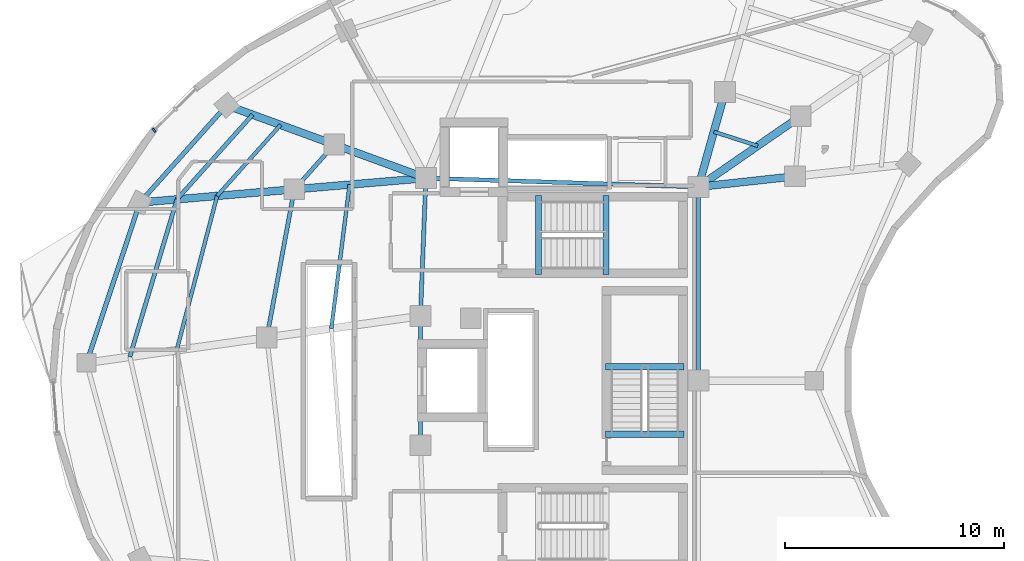
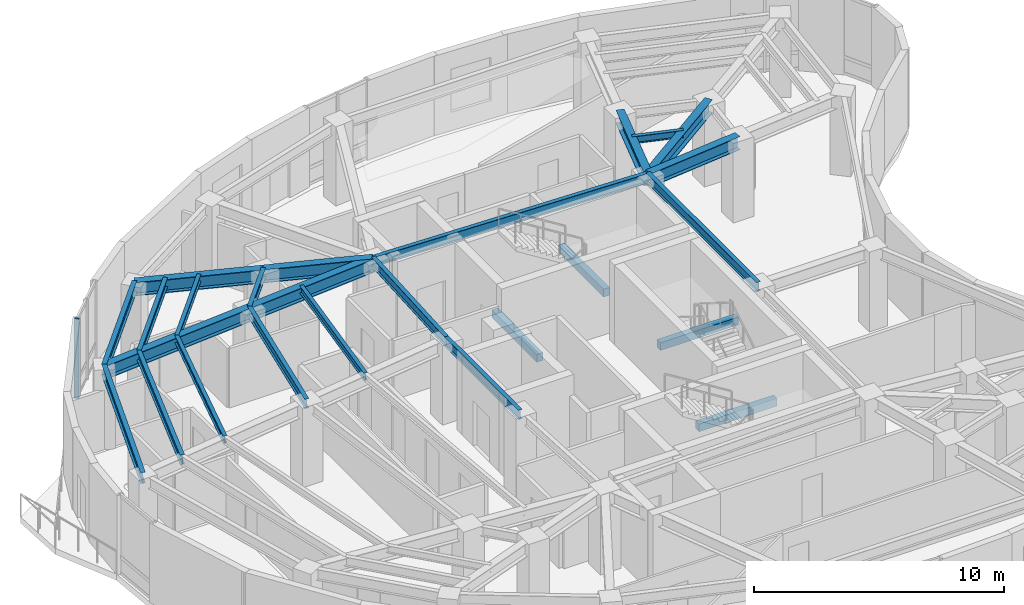
# One storey, part 3 of 13: 25 beams, 1 member, 1 element without a shape of its own.
"""IFC4 building model written with IfcOpenShell, lengths in metres."""

import ifcopenshell
import ifcopenshell.guid

model = None  # the IFC model being written
_history = None  # IfcOwnerHistory: only IFC2X3 demands one
_inside = {}  # id of a spatial element -> (the spatial element, [elements in it])
_under = {}  # id of a project, library or spatial element -> (it, [spatial elements below it])
_declared = {}  # id of a project -> (the project, [libraries it declares])
_typed = {}  # id of a type object -> (the type object, [elements of that type])
_made_of = {}  # id of a material, layer set ... -> (it, [elements and type objects made of it])


def new_model(schema):
    """Start an empty IFC model of exactly this schema.

    Asked for "IFC4X3", IfcOpenShell would pick the latest addendum, in which some entities
    have other attributes; the version numbers below select the first issue.
    IFC2X3 requires an IfcOwnerHistory on every rooted entity: one is made here for all.
    """
    global model, _history
    if schema == "IFC4X3":
        model = ifcopenshell.file(schema_version=(4, 3, 0, 0))
    else:
        model = ifcopenshell.file(schema=schema)
    _inside.clear()
    _under.clear()
    _declared.clear()
    _typed.clear()
    _made_of.clear()
    _history = None
    if model.schema == "IFC2X3":
        org = make("IfcOrganization", Name="unknown")
        user = make(
            "IfcPersonAndOrganization",
            ThePerson=make("IfcPerson", FamilyName="unknown"),
            TheOrganization=org,
        )
        app = make(
            "IfcApplication",
            ApplicationDeveloper=org,
            Version="unknown",
            ApplicationFullName="unknown",
            ApplicationIdentifier="unknown",
        )
        _history = make(
            "IfcOwnerHistory",
            OwningUser=user,
            OwningApplication=app,
            ChangeAction="ADDED",
            CreationDate=0,
        )
    return model


def make(cls, **values):
    """One entity of the class cls with the attributes given. An attribute that is None is left unset."""
    return model.create_entity(
        cls, **{name: value for name, value in values.items() if value is not None}
    )


def rooted(cls, **values):
    """An entity with a GlobalId (a new one), such as an element, a storey or a relation."""
    return make(cls, GlobalId=ifcopenshell.guid.new(), OwnerHistory=_history, **values)


def si_unit(unit_type, name, prefix=None):
    """IfcSIUnit, for example si_unit("LENGTHUNIT", "METRE", prefix="MILLI")."""
    return make("IfcSIUnit", UnitType=unit_type, Prefix=prefix, Name=name)


def assignment(units):
    """IfcUnitAssignment: the units of a project."""
    return None if units is None else make("IfcUnitAssignment", Units=units)


def point(xyz):
    """IfcCartesianPoint."""
    return None if xyz is None else make("IfcCartesianPoint", Coordinates=xyz)


def direction(xyz):
    """IfcDirection."""
    return None if xyz is None else make("IfcDirection", DirectionRatios=xyz)


def frame(location, z_axis=None, x_axis=None):
    """IfcAxis2Placement3D, a coordinate frame: its origin and axes. An axis left out is left unset."""
    return make(
        "IfcAxis2Placement3D",
        Location=point(location),
        Axis=direction(z_axis),
        RefDirection=direction(x_axis),
    )


def frame_2d(location, x_axis=None):
    """IfcAxis2Placement2D, a coordinate frame in the plane: its origin and x axis."""
    return make(
        "IfcAxis2Placement2D", Location=point(location), RefDirection=direction(x_axis)
    )


def origin():
    """The frame at (0, 0, 0) with its axes left unset."""
    return frame((0.0, 0.0, 0.0))


def origin_2d():
    """The frame at (0, 0) in the plane with its x axis left unset."""
    return frame_2d((0.0, 0.0))


def place(relative_to, where):
    """IfcLocalPlacement: puts the frame where relative to a parent placement (None: the world)."""
    return make(
        "IfcLocalPlacement", PlacementRelTo=relative_to, RelativePlacement=where
    )


def context(
    kind, dimensions, precision=None, world=None, true_north=None, identifier=None
):
    """IfcGeometricRepresentationContext, for example the 3D "Model" context."""
    return make(
        "IfcGeometricRepresentationContext",
        ContextIdentifier=identifier,
        ContextType=kind,
        CoordinateSpaceDimension=dimensions,
        Precision=precision,
        WorldCoordinateSystem=world,
        TrueNorth=true_north,
    )


def subcontext(parent, identifier, kind, view, scale=None):
    """IfcGeometricRepresentationSubContext, for example "Body" below "Model"."""
    return make(
        "IfcGeometricRepresentationSubContext",
        ContextIdentifier=identifier,
        ContextType=kind,
        ParentContext=parent,
        TargetScale=scale,
        TargetView=view,
    )


def project(units=None, contexts=None):
    """IfcProject with its units and contexts."""
    return rooted(
        "IfcProject",
        Name="project",
        RepresentationContexts=contexts,
        UnitsInContext=assignment(units),
    )


def spatial(cls, under=None, at=None, **own):
    """A site, building, storey or space (cls), placed at a placement, below another one or the project."""
    s = rooted(cls, ObjectPlacement=at, **own)
    if under is not None:
        _under.setdefault(under.id(), (under, []))[1].append(s)
    return s


def profile(cls, at=None, kind="AREA", **sizes):
    """A parametric profile (cls). Its sizes go by their IFC names, for example OverallWidth=200.0."""
    return make(cls, ProfileType=kind, Position=at, **sizes)


def rectangle(**sizes):
    """IfcRectangleProfileDef."""
    return profile("IfcRectangleProfileDef", **sizes)


def i_section(**sizes):
    """IfcIShapeProfileDef."""
    return profile("IfcIShapeProfileDef", **sizes)


def extrude(swept, where, along, depth):
    """IfcExtrudedAreaSolid: the profile swept, set in the frame where, extruded along a direction by depth."""
    return make(
        "IfcExtrudedAreaSolid",
        SweptArea=swept,
        Position=where,
        ExtrudedDirection=direction(along),
        Depth=depth,
    )


def shape(context_of_items, identifier, shape_type, items):
    """IfcShapeRepresentation: the items that make up one representation, for example the "Body"."""
    return make(
        "IfcShapeRepresentation",
        ContextOfItems=context_of_items,
        RepresentationIdentifier=identifier,
        RepresentationType=shape_type,
        Items=items,
    )


def material(Name=None, Category=None):
    """IfcMaterial."""
    return make("IfcMaterial", Name=Name, Category=Category)


def layer(
    of_material, thickness, ventilated=None, Name=None, Category=None, Priority=None
):
    """IfcMaterialLayer: one layer of a wall or slab, of a material (None: an air gap)."""
    return make(
        "IfcMaterialLayer",
        Material=of_material,
        LayerThickness=thickness,
        IsVentilated=ventilated,
        Name=Name,
        Category=Category,
        Priority=Priority,
    )


def layer_set(layers, Name=None):
    """IfcMaterialLayerSet."""
    return make("IfcMaterialLayerSet", MaterialLayers=layers, LayerSetName=Name)


def material_profile(
    of_material, cross_section, Name=None, Category=None, Priority=None
):
    """IfcMaterialProfile: a cross section and its material."""
    return make(
        "IfcMaterialProfile",
        Name=Name,
        Material=of_material,
        Profile=cross_section,
        Priority=Priority,
        Category=Category,
    )


def profile_set(profiles, Name=None, composite=None):
    """IfcMaterialProfileSet."""
    return make(
        "IfcMaterialProfileSet",
        Name=Name,
        MaterialProfiles=profiles,
        CompositeProfile=composite,
    )


def made_of(thing, what):
    """Note that an element or type object is made of a material, layer set ...; save() writes the relation."""
    if what is not None:
        _made_of.setdefault(what.id(), (what, []))[1].append(thing)
    return thing


def type_object(cls, material=None, **own):
    """A type object (cls), such as IfcWallType, which elements share."""
    return made_of(rooted(cls, **own), material)


def element(
    cls,
    number,
    at=None,
    inside=None,
    cuts=None,
    type_object=None,
    material=None,
    context=None,
    identifier="Body",
    shape_type=None,
    held_by="IfcProductDefinitionShape",
    body=None,
    shapes=None,
    **own,
):
    """One element of the class cls, such as IfcWall. Its Tag is "e" and its number.

    at: its placement. inside: the storey or other place that contains it. cuts: it is an
    opening in that element (IfcRelVoidsElement). A single representation is given by context,
    identifier, shape_type and body (its items); several are given by shapes. held_by: the class
    of the entity that holds the representations. save() writes the other relations.
    """
    e = rooted(cls, Tag="e%d" % number, ObjectPlacement=at, **own)
    if body is not None:
        shapes = [shape(context, identifier, shape_type, body)]
    if shapes is not None:
        e.Representation = make(held_by, Representations=shapes)
    if inside is not None:
        _inside.setdefault(inside.id(), (inside, []))[1].append(e)
    if cuts is not None:
        rooted(
            "IfcRelVoidsElement", RelatingBuildingElement=cuts, RelatedOpeningElement=e
        )
    if type_object is not None:
        _typed.setdefault(type_object.id(), (type_object, []))[1].append(e)
    return made_of(e, material)


def aggregate(whole, parts):
    """IfcRelAggregates: a whole, such as a stair, and the parts it consists of."""
    return rooted("IfcRelAggregates", RelatingObject=whole, RelatedObjects=parts)


def save(model, path):
    """Write the relations noted so far, then the file.

    IfcRelAggregates (storeys below a building ...), IfcRelContainedInSpatialStructure (elements
    in a storey), IfcRelDefinesByType, IfcRelAssociatesMaterial and IfcRelDeclares: one each for
    every whole, place, type object, material and project.
    """
    for whole, parts in _under.values():
        aggregate(whole, parts)
    for where, things in _inside.values():
        rooted(
            "IfcRelContainedInSpatialStructure",
            RelatedElements=things,
            RelatingStructure=where,
        )
    for kind, things in _typed.values():
        rooted("IfcRelDefinesByType", RelatedObjects=things, RelatingType=kind)
    for what, things in _made_of.values():
        rooted("IfcRelAssociatesMaterial", RelatedObjects=things, RelatingMaterial=what)
    for by, libraries in _declared.values():
        rooted("IfcRelDeclares", RelatingContext=by, RelatedDefinitions=libraries)
    model.write(path)


model = new_model("IFC4")

# Units and contexts
model_context = context("Model", 3, precision=1e-05, world=origin(), true_north=direction((0.0, 1.0)))
body_context = subcontext(model_context, "Body", "Model", "MODEL_VIEW")
ifc_project = project(units=[si_unit("LENGTHUNIT", "METRE"), si_unit("AREAUNIT", "SQUARE_METRE"), si_unit("VOLUMEUNIT", "CUBIC_METRE"), si_unit("PLANEANGLEUNIT", "RADIAN"), si_unit("MASSUNIT", "GRAM", prefix="KILO")], contexts=[model_context])

# Site, building, storey
site_placement = place(None, origin())
site = spatial("IfcSite", under=ifc_project, at=site_placement, CompositionType="ELEMENT")
building_placement = place(site_placement, origin())
building = spatial("IfcBuilding", under=site, at=building_placement, Name="Korentha Bioscience Tower", CompositionType="ELEMENT")
storey_placement = place(building_placement, frame((0.0, 0.0, 273.0)))
storey = spatial("IfcBuildingStorey", under=building, at=storey_placement, Name="L63", CompositionType="ELEMENT", Elevation=273.0)

# Beams
ifc_material_1 = material(Name="Concrete C50", Category="concrete")
ifc_material_profile_1 = material_profile(ifc_material_1, rectangle(XDim=0.280029296875, YDim=0.3798828125, at=origin_2d()), Name="Concrete C50")
ifc_profile_set_1 = profile_set([ifc_material_profile_1], Name="Concrete C50 (ST-HB380)")
beam_type_1 = type_object("IfcBeamType", Name="Concrete Stair Header Beam RC 280x380", PredefinedType="BEAM", material=ifc_profile_set_1)
for number, where, z_axis, x_axis, name in (
    (1, (30.25, 31.85009765625, -0.18994140625), (0.0, 1.0, 0.0), (-1.0, 0.0, 0.0), "L63 ST-1 Concrete Stair Header Beam"),
    (2, (33.330078125, 31.85009765625, 1.909912109375), (0.0, 1.0, 0.0), (-1.0, 0.0, 0.0), "L63 ST-1 Half-Landing Header Beam 1"),
    (3, (36.89990234375, 24.550048828125, -0.18994140625), (-1.0, 0.0, 0.0), (0.0, -1.0, 0.0), "L63 ST-3 Concrete Stair Header Beam"),
    (4, (36.89990234375, 27.6298828125, 1.909912109375), (-1.0, 0.0, 0.0), (0.0, -1.0, 0.0), "L63 ST-3 Half-Landing Header Beam 1"),
):
    element("IfcBeam", number, at=place(storey_placement, frame(where, z_axis=z_axis, x_axis=x_axis)), inside=storey, type_object=beam_type_1, Name=name, PredefinedType="BEAM", context=body_context, shape_type="SweptSolid", body=[
        extrude(rectangle(XDim=0.280029296875, YDim=0.3798828125, at=origin_2d()), origin(), (0.0, 0.0, 1.0), 3.599853515625),
    ])
ifc_material_2 = material(Name="Steel S355", Category="steel")
ifc_material_profile_2 = material_profile(ifc_material_2, i_section(OverallWidth=0.18994140625, OverallDepth=0.45703125, WebThickness=0.009033203125, FlangeThickness=0.014404296875, at=origin_2d()), Name="Steel S355")
ifc_profile_set_2 = profile_set([ifc_material_profile_2], Name="Steel S355 (MB-460)")
beam_type_2 = type_object("IfcBeamType", Name="Mid-Ring Tie Girder W460x74", PredefinedType="BEAM", material=ifc_profile_set_2)
beam_1_placement = place(storey_placement, frame((20.915283203125, 37.78125, 3.651611328125), z_axis=(-0.666159168073, -0.745809602239, 0.0), x_axis=(0.745809602239, -0.666159168073, 0.0)))
element("IfcBeam", 5, at=beam_1_placement, inside=storey, type_object=beam_type_2, Name="L63 Mid-Ring Tie Girder 05", PredefinedType="BEAM", context=body_context, shape_type="SweptSolid", body=[
    extrude(i_section(OverallWidth=0.18994140625, OverallDepth=0.45703125, WebThickness=0.009033203125, FlangeThickness=0.014404296875, at=origin_2d()), origin(), (0.0, 0.0, 1.0), 2.740234375),
])
beam_2_placement = place(storey_placement, frame((19.08984375, 35.737548828125, 3.651611328125), z_axis=(-0.182381206512, -0.98322789602, 0.0), x_axis=(0.98322789602, -0.182381206512, 0.0)))
element("IfcBeam", 6, at=beam_2_placement, inside=storey, type_object=beam_type_2, Name="L63 Mid-Ring Tie Girder 06", PredefinedType="BEAM", context=body_context, shape_type="SweptSolid", body=[
    extrude(i_section(OverallWidth=0.18994140625, OverallDepth=0.45703125, WebThickness=0.009033203125, FlangeThickness=0.014404296875, at=origin_2d()), origin(), (0.0, 0.0, 1.0), 6.88720703125),
])
beam_3_placement = place(storey_placement, frame((37.550048828125, 35.85009765625, 3.651611328125), z_axis=(-0.999484526071, 0.032104238723, 0.0), x_axis=(-0.032104238723, -0.999484526071, 0.0)))
element("IfcBeam", 7, at=beam_3_placement, inside=storey, type_object=beam_type_2, Name="L63 Core Ring Tie Girder 01", PredefinedType="BEAM", context=body_context, shape_type="SweptSolid", body=[
    extrude(i_section(OverallWidth=0.18994140625, OverallDepth=0.45703125, WebThickness=0.009033203125, FlangeThickness=0.014404296875, at=origin_2d()), origin(), (0.0, 0.0, 1.0), 12.456298828125),
])
beam_4_placement = place(storey_placement, frame((25.10009765625, 36.25, 3.651611328125), z_axis=(-0.039651025576, -0.999213588864, 0.0), x_axis=(0.999213588864, -0.039651025576, 0.0)))
element("IfcBeam", 8, at=beam_4_placement, inside=storey, type_object=beam_type_2, Name="L63 Core Ring Tie Girder 02", PredefinedType="BEAM", context=body_context, shape_type="SweptSolid", body=[
    extrude(i_section(OverallWidth=0.18994140625, OverallDepth=0.45703125, WebThickness=0.009033203125, FlangeThickness=0.014404296875, at=origin_2d()), origin(), (0.0, 0.0, 1.0), 6.304931640625),
])
beam_5_placement = place(storey_placement, frame((24.85009765625, 29.949951171875, 3.651611328125), z_axis=(0.0, -1.0, 0.0), x_axis=(1.0, 0.0, 0.0)))
element("IfcBeam", 9, at=beam_5_placement, inside=storey, type_object=beam_type_2, Name="L63 Core Ring Tie Girder 03", PredefinedType="BEAM", context=body_context, shape_type="SweptSolid", body=[
    extrude(i_section(OverallWidth=0.18994140625, OverallDepth=0.45703125, WebThickness=0.009033203125, FlangeThickness=0.014404296875, at=origin_2d()), origin(), (0.0, 0.0, 1.0), 5.89990234375),
])
beam_6_placement = place(storey_placement, frame((37.550048828125, 27.0, 3.651611328125), z_axis=(0.0, 1.0, 0.0), x_axis=(-1.0, 0.0, 0.0)))
element("IfcBeam", 10, at=beam_6_placement, inside=storey, type_object=beam_type_2, Name="L63 Core Ring Tie Girder 07", PredefinedType="BEAM", context=body_context, shape_type="SweptSolid", body=[
    extrude(i_section(OverallWidth=0.18994140625, OverallDepth=0.45703125, WebThickness=0.009033203125, FlangeThickness=0.014404296875, at=origin_2d()), origin(), (0.0, 0.0, 1.0), 8.85009765625),
])

# Curtain wall, member
ifc_material_3 = material(Name="Thermally Broken Aluminium Frame", Category="aluminium")
ifc_layer = layer(ifc_material_3, 0.219970703125, Name="Thermally Broken Aluminium Frame")
ifc_layer_set = layer_set([ifc_layer], Name="Thermally Broken Aluminium Frame (CW-T1)")
curtain_wall_type = type_object("IfcCurtainWallType", Name="Standard Bioscience Lab Unitised Curtain Wall CW-T1", PredefinedType="USERDEFINED", material=ifc_layer_set)
curtain_wall_placement = place(storey_placement, origin())
curtain_wall = element("IfcCurtainWall", 11, at=curtain_wall_placement, inside=storey, type_object=curtain_wall_type, Name="L63 Curtain Wall 13", ObjectType="UNITISED", PredefinedType="USERDEFINED")
ifc_material_4 = material(Name="Anodised Aluminium 6063-T6", Category="aluminium")
ifc_material_profile_3 = material_profile(ifc_material_4, rectangle(XDim=0.090087890625, YDim=0.199951171875, at=origin_2d()), Name="Anodised Aluminium 6063-T6")
ifc_profile_set_3 = profile_set([ifc_material_profile_3], Name="Anodised Aluminium 6063-T6 (CW-MUL)")
member_type = type_object("IfcMemberType", Name="Mullion RECT 90x200", PredefinedType="MULLION", material=ifc_profile_set_3)
member_placement = place(storey_placement, frame((12.680419921875, 38.43603515625, 0.0), z_axis=(0.0, 0.0, 1.0), x_axis=(-0.711397700041, -0.702789664392, 0.0)))
member = element("IfcMember", 12, at=member_placement, type_object=member_type, Name="CW-L63-13 Mullion 3", PredefinedType="MULLION", context=body_context, shape_type="SweptSolid", body=[
    extrude(rectangle(XDim=0.090087890625, YDim=0.199951171875, at=origin_2d()), origin(), (0.0, 0.0, 1.0), 3.8798828125),
])
aggregate(curtain_wall, [member])

# Beams
ifc_material_profile_4 = material_profile(ifc_material_2, i_section(OverallWidth=0.208984375, OverallDepth=0.532958984375, WebThickness=0.01025390625, FlangeThickness=0.015625, at=origin_2d()), Name="Steel S355")
ifc_profile_set_4 = profile_set([ifc_material_profile_4], Name="Steel S355 (SB-530)")
beam_type_3 = type_object("IfcBeamType", Name="Perimeter Ring Spandrel Girder W530x92", PredefinedType="SPANDREL", material=ifc_profile_set_4)
beam_7_placement = place(storey_placement, frame((16.002685546875, 39.57861328125, 3.613525390625), z_axis=(-0.666168059737, -0.745801660086, 0.0), x_axis=(0.745801660086, -0.666168059737, 0.0)))
element("IfcBeam", 13, at=beam_7_placement, inside=storey, type_object=beam_type_3, Name="L63 Perimeter Spandrel Girder 05", PredefinedType="SPANDREL", context=body_context, shape_type="SweptSolid", body=[
    extrude(i_section(OverallWidth=0.208984375, OverallDepth=0.532958984375, WebThickness=0.01025390625, FlangeThickness=0.015625, at=origin_2d()), origin(), (0.0, 0.0, 1.0), 5.956787109375),
])
beam_8_placement = place(storey_placement, frame((12.034423828125, 35.135986328125, 3.613525390625), z_axis=(-0.315658499219, -0.948872863913, 0.0), x_axis=(0.948872863913, -0.315658499219, 0.0)))
element("IfcBeam", 14, at=beam_8_placement, inside=storey, type_object=beam_type_3, Name="L63 Perimeter Spandrel Girder 06", PredefinedType="SPANDREL", context=body_context, shape_type="SweptSolid", body=[
    extrude(i_section(OverallWidth=0.208984375, OverallDepth=0.532958984375, WebThickness=0.01025390625, FlangeThickness=0.015625, at=origin_2d()), origin(), (0.0, 0.0, 1.0), 7.720458984375),
])
ifc_material_profile_5 = material_profile(ifc_material_2, i_section(OverallWidth=0.18994140625, OverallDepth=0.45703125, WebThickness=0.009033203125, FlangeThickness=0.014404296875, at=origin_2d()), Name="Steel S355")
ifc_profile_set_5 = profile_set([ifc_material_profile_5], Name="Steel S355 (RB-460)")
beam_type_4 = type_object("IfcBeamType", Name="Radial Laboratory Beam W460x74", PredefinedType="BEAM", material=ifc_profile_set_5)
beam_9_placement = place(storey_placement, frame((17.181884765625, 39.147216796875, 3.651611328125), z_axis=(-0.666197283, -0.745775556132, 0.0), x_axis=(0.745775556132, -0.666197283, 0.0)))
element("IfcBeam", 15, at=beam_9_placement, inside=storey, type_object=beam_type_4, Name="L63 Secondary Floor Beam JSTO-05", PredefinedType="BEAM", context=body_context, shape_type="SweptSolid", body=[
    extrude(i_section(OverallWidth=0.18994140625, OverallDepth=0.45703125, WebThickness=0.009033203125, FlangeThickness=0.014404296875, at=origin_2d()), origin(), (0.0, 0.0, 1.0), 5.184814453125),
])
beam_10_placement = place(storey_placement, frame((13.727783203125, 35.280517578125, 3.651611328125), z_axis=(-0.28682281491, -0.957983649572, 0.0), x_axis=(0.957983649572, -0.28682281491, 0.0)))
element("IfcBeam", 16, at=beam_10_placement, inside=storey, type_object=beam_type_4, Name="L63 Secondary Floor Beam JSTO-06", PredefinedType="BEAM", context=body_context, shape_type="SweptSolid", body=[
    extrude(i_section(OverallWidth=0.18994140625, OverallDepth=0.45703125, WebThickness=0.009033203125, FlangeThickness=0.014404296875, at=origin_2d()), origin(), (0.0, 0.0, 1.0), 7.50830078125),
])
ifc_material_profile_6 = material_profile(ifc_material_2, i_section(OverallWidth=0.35009765625, OverallDepth=0.64990234375, WebThickness=0.01611328125, FlangeThickness=0.02490234375, at=origin_2d()), Name="Steel S355")
ifc_profile_set_6 = profile_set([ifc_material_profile_6], Name="Steel S355 (RB-650)")
beam_type_5 = type_object("IfcBeamType", Name="Radial Laboratory Girder CVS 650x208", PredefinedType="BEAM", material=ifc_profile_set_6)
beam_11_placement = place(storey_placement, frame((37.550048828125, 35.85009765625, 3.554931640625), z_axis=(0.822500009141, 0.56876509647, 0.0), x_axis=(-0.56876509647, 0.822500009141, 0.0)))
element("IfcBeam", 17, at=beam_11_placement, inside=storey, type_object=beam_type_5, Name="L63 Inner Radial Girder 01", PredefinedType="BEAM", context=body_context, shape_type="SweptSolid", body=[
    extrude(i_section(OverallWidth=0.35009765625, OverallDepth=0.64990234375, WebThickness=0.01611328125, FlangeThickness=0.02490234375, at=origin_2d()), origin(), (0.0, 0.0, 1.0), 5.6796875),
])
beam_12_placement = place(storey_placement, frame((37.550048828125, 35.85009765625, 3.554931640625), z_axis=(0.269471139951, 0.963008465556, 0.0), x_axis=(-0.963008465556, 0.269471139951, 0.0)))
element("IfcBeam", 18, at=beam_12_placement, inside=storey, type_object=beam_type_5, Name="L63 Inner Radial Girder 02", PredefinedType="BEAM", context=body_context, shape_type="SweptSolid", body=[
    extrude(i_section(OverallWidth=0.35009765625, OverallDepth=0.64990234375, WebThickness=0.01611328125, FlangeThickness=0.02490234375, at=origin_2d()), origin(), (0.0, 0.0, 1.0), 4.505615234375),
])
beam_13_placement = place(storey_placement, frame((25.10009765625, 36.25, 3.554931640625), z_axis=(-0.939106897866, 0.343625136422, 0.0), x_axis=(-0.343625136422, -0.939106897866, 0.0)))
element("IfcBeam", 19, at=beam_13_placement, inside=storey, type_object=beam_type_5, Name="L63 Inner Radial Girder 05", PredefinedType="BEAM", context=body_context, shape_type="SweptSolid", body=[
    extrude(i_section(OverallWidth=0.35009765625, OverallDepth=0.64990234375, WebThickness=0.01611328125, FlangeThickness=0.02490234375, at=origin_2d()), origin(), (0.0, 0.0, 1.0), 4.4560546875),
])
beam_14_placement = place(storey_placement, frame((20.915283203125, 37.78125, 3.554931640625), z_axis=(-0.939118444477, 0.343593578583, 0.0), x_axis=(-0.343593578583, -0.939118444477, 0.0)))
element("IfcBeam", 20, at=beam_14_placement, inside=storey, type_object=beam_type_5, Name="L63 Outer Radial Girder 05", PredefinedType="BEAM", context=body_context, shape_type="SweptSolid", body=[
    extrude(i_section(OverallWidth=0.35009765625, OverallDepth=0.64990234375, WebThickness=0.01611328125, FlangeThickness=0.02490234375, at=origin_2d()), origin(), (0.0, 0.0, 1.0), 5.23095703125),
])
beam_15_placement = place(storey_placement, frame((25.10009765625, 36.25, 3.554931640625), z_axis=(-0.996384825277, -0.084954575849, 0.0), x_axis=(0.084954575849, -0.996384825277, 0.0)))
element("IfcBeam", 21, at=beam_15_placement, inside=storey, type_object=beam_type_5, Name="L63 Inner Radial Girder 06", PredefinedType="BEAM", context=body_context, shape_type="SweptSolid", body=[
    extrude(i_section(OverallWidth=0.35009765625, OverallDepth=0.64990234375, WebThickness=0.01611328125, FlangeThickness=0.02490234375, at=origin_2d()), origin(), (0.0, 0.0, 1.0), 6.031982421875),
])
beam_16_placement = place(storey_placement, frame((19.08984375, 35.737548828125, 3.554931640625), z_axis=(-0.996384854796, -0.084954229635, 0.0), x_axis=(0.084954229635, -0.996384854796, 0.0)))
element("IfcBeam", 22, at=beam_16_placement, inside=storey, type_object=beam_type_5, Name="L63 Outer Radial Girder 06", PredefinedType="BEAM", context=body_context, shape_type="SweptSolid", body=[
    extrude(i_section(OverallWidth=0.35009765625, OverallDepth=0.64990234375, WebThickness=0.01611328125, FlangeThickness=0.02490234375, at=origin_2d()), origin(), (0.0, 0.0, 1.0), 7.0810546875),
])
beam_17_placement = place(storey_placement, frame((37.550048828125, 35.85009765625, 3.554931640625), z_axis=(0.994121454153, 0.108270653423, 0.0), x_axis=(-0.108270653423, 0.994121454153, 0.0)))
element("IfcBeam", 23, at=beam_17_placement, inside=storey, type_object=beam_type_5, Name="L63 Inner Radial Girder 16", PredefinedType="BEAM", context=body_context, shape_type="SweptSolid", body=[
    extrude(i_section(OverallWidth=0.35009765625, OverallDepth=0.64990234375, WebThickness=0.01611328125, FlangeThickness=0.02490234375, at=origin_2d()), origin(), (0.0, 0.0, 1.0), 4.43994140625),
])
ifc_material_profile_7 = material_profile(ifc_material_2, i_section(OverallWidth=0.1708984375, OverallDepth=0.35498046875, WebThickness=0.007080078125, FlangeThickness=0.01171875, at=origin_2d()), Name="Steel S355")
ifc_profile_set_7 = profile_set([ifc_material_profile_7], Name="Steel S355 (JB-360)")
beam_type_6 = type_object("IfcBeamType", Name="Secondary Laboratory Joist W360x51", PredefinedType="JOIST", material=ifc_profile_set_7)
beam_18_placement = place(storey_placement, frame((40.259521484375, 37.7236328125, 3.702392578125), z_axis=(-0.952238215196, 0.305356155202, 0.0), x_axis=(-0.305356155202, -0.952238215196, 0.0)))
element("IfcBeam", 24, at=beam_18_placement, inside=storey, type_object=beam_type_6, Name="L63 Inner Bay Joist 01", PredefinedType="JOIST", context=body_context, shape_type="SweptSolid", body=[
    extrude(i_section(OverallWidth=0.1708984375, OverallDepth=0.35498046875, WebThickness=0.007080078125, FlangeThickness=0.01171875, at=origin_2d()), origin(), (0.0, 0.0, 1.0), 2.10595703125),
])
beam_19_placement = place(storey_placement, frame((18.458984375, 38.679931640625, 3.702392578125), z_axis=(-0.666180871809, -0.745790215836, 0.0), x_axis=(0.745790215836, -0.666180871809, 0.0)))
element("IfcBeam", 25, at=beam_19_placement, inside=storey, type_object=beam_type_6, Name="L63 Secondary Floor Beam JST-05", PredefinedType="JOIST", context=body_context, shape_type="SweptSolid", body=[
    extrude(i_section(OverallWidth=0.1708984375, OverallDepth=0.35498046875, WebThickness=0.007080078125, FlangeThickness=0.01171875, at=origin_2d()), origin(), (0.0, 0.0, 1.0), 4.3486328125),
])
beam_20_placement = place(storey_placement, frame((15.56201171875, 35.436767578125, 3.702392578125), z_axis=(-0.253407917841, -0.967359512888, 0.0), x_axis=(0.967359512888, -0.253407917841, 0.0)))
element("IfcBeam", 26, at=beam_20_placement, inside=storey, type_object=beam_type_6, Name="L63 Secondary Floor Beam JST-06", PredefinedType="JOIST", context=body_context, shape_type="SweptSolid", body=[
    extrude(i_section(OverallWidth=0.1708984375, OverallDepth=0.35498046875, WebThickness=0.007080078125, FlangeThickness=0.01171875, at=origin_2d()), origin(), (0.0, 0.0, 1.0), 7.286376953125),
])
beam_21_placement = place(storey_placement, frame((21.614013671875, 35.952880859375, 3.702392578125), z_axis=(-0.125784907958, -0.992057537107, 0.0), x_axis=(0.992057537107, -0.125784907958, 0.0)))
element("IfcBeam", 27, at=beam_21_placement, inside=storey, type_object=beam_type_6, Name="L63 Inner Bay Joist 06", PredefinedType="JOIST", context=body_context, shape_type="SweptSolid", body=[
    extrude(i_section(OverallWidth=0.1708984375, OverallDepth=0.35498046875, WebThickness=0.007080078125, FlangeThickness=0.01171875, at=origin_2d()), origin(), (0.0, 0.0, 1.0), 6.62646484375),
])

save(model, "model.ifc")
